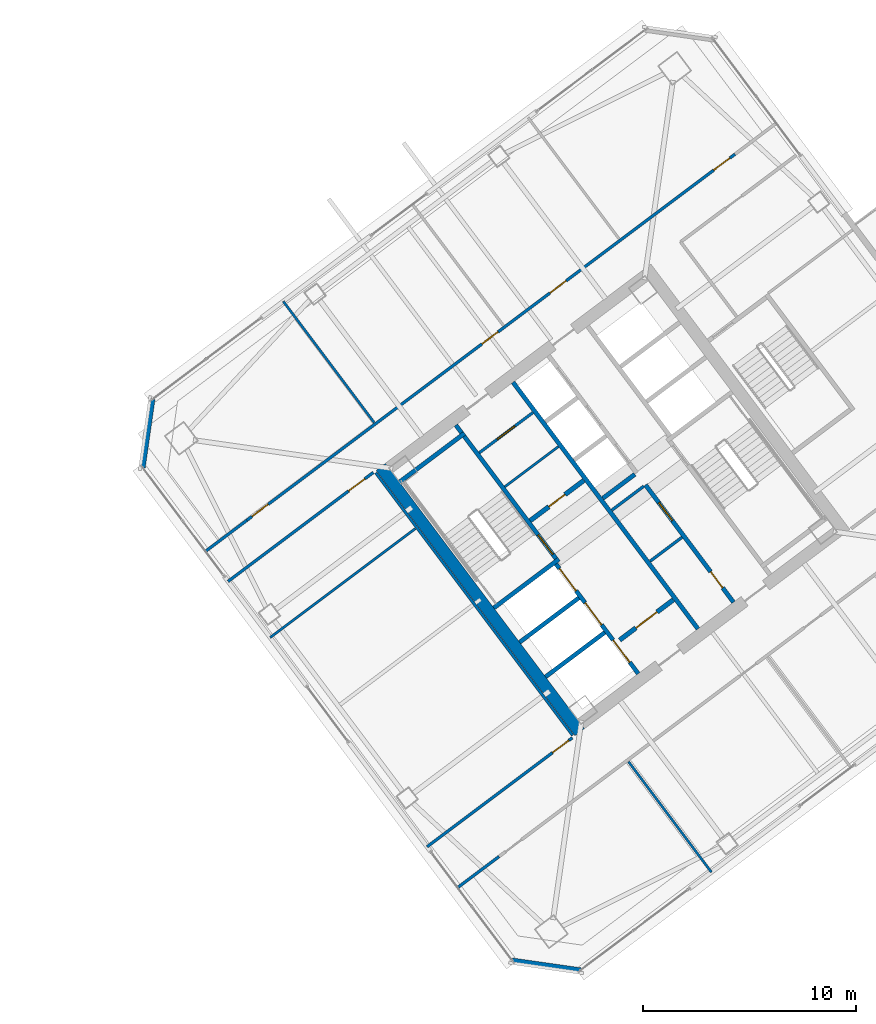
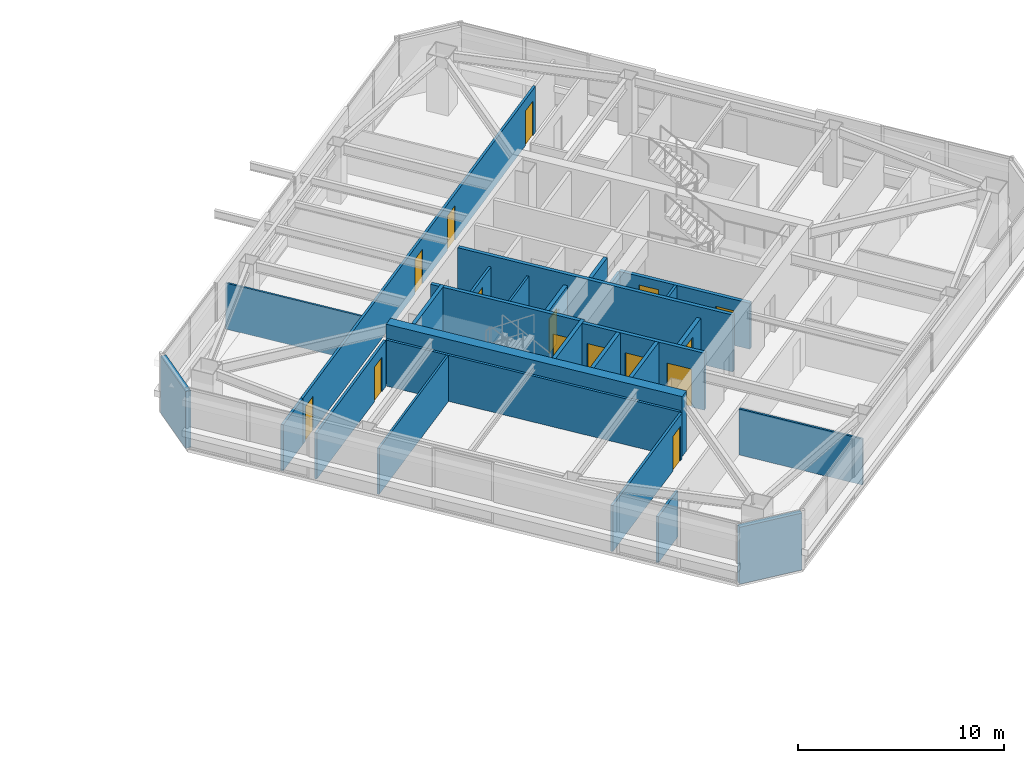
# One storey, part 35 of 43: 27 walls, 15 doors, 15 openings.
"""IFC4 building model written with IfcOpenShell, lengths in metres."""

import ifcopenshell
import ifcopenshell.guid

model = None  # the IFC model being written
_history = None  # IfcOwnerHistory: only IFC2X3 demands one
_inside = {}  # id of a spatial element -> (the spatial element, [elements in it])
_under = {}  # id of a project, library or spatial element -> (it, [spatial elements below it])
_declared = {}  # id of a project -> (the project, [libraries it declares])
_typed = {}  # id of a type object -> (the type object, [elements of that type])
_made_of = {}  # id of a material, layer set ... -> (it, [elements and type objects made of it])


def new_model(schema):
    """Start an empty IFC model of exactly this schema.

    Asked for "IFC4X3", IfcOpenShell would pick the latest addendum, in which some entities
    have other attributes; the version numbers below select the first issue.
    IFC2X3 requires an IfcOwnerHistory on every rooted entity: one is made here for all.
    """
    global model, _history
    if schema == "IFC4X3":
        model = ifcopenshell.file(schema_version=(4, 3, 0, 0))
    else:
        model = ifcopenshell.file(schema=schema)
    _inside.clear()
    _under.clear()
    _declared.clear()
    _typed.clear()
    _made_of.clear()
    _history = None
    if model.schema == "IFC2X3":
        org = make("IfcOrganization", Name="unknown")
        user = make(
            "IfcPersonAndOrganization",
            ThePerson=make("IfcPerson", FamilyName="unknown"),
            TheOrganization=org,
        )
        app = make(
            "IfcApplication",
            ApplicationDeveloper=org,
            Version="unknown",
            ApplicationFullName="unknown",
            ApplicationIdentifier="unknown",
        )
        _history = make(
            "IfcOwnerHistory",
            OwningUser=user,
            OwningApplication=app,
            ChangeAction="ADDED",
            CreationDate=0,
        )
    return model


def make(cls, **values):
    """One entity of the class cls with the attributes given. An attribute that is None is left unset."""
    return model.create_entity(
        cls, **{name: value for name, value in values.items() if value is not None}
    )


def rooted(cls, **values):
    """An entity with a GlobalId (a new one), such as an element, a storey or a relation."""
    return make(cls, GlobalId=ifcopenshell.guid.new(), OwnerHistory=_history, **values)


def si_unit(unit_type, name, prefix=None):
    """IfcSIUnit, for example si_unit("LENGTHUNIT", "METRE", prefix="MILLI")."""
    return make("IfcSIUnit", UnitType=unit_type, Prefix=prefix, Name=name)


def assignment(units):
    """IfcUnitAssignment: the units of a project."""
    return None if units is None else make("IfcUnitAssignment", Units=units)


def point(xyz):
    """IfcCartesianPoint."""
    return None if xyz is None else make("IfcCartesianPoint", Coordinates=xyz)


def direction(xyz):
    """IfcDirection."""
    return None if xyz is None else make("IfcDirection", DirectionRatios=xyz)


def frame(location, z_axis=None, x_axis=None):
    """IfcAxis2Placement3D, a coordinate frame: its origin and axes. An axis left out is left unset."""
    return make(
        "IfcAxis2Placement3D",
        Location=point(location),
        Axis=direction(z_axis),
        RefDirection=direction(x_axis),
    )


def frame_2d(location, x_axis=None):
    """IfcAxis2Placement2D, a coordinate frame in the plane: its origin and x axis."""
    return make(
        "IfcAxis2Placement2D", Location=point(location), RefDirection=direction(x_axis)
    )


def origin():
    """The frame at (0, 0, 0) with its axes left unset."""
    return frame((0.0, 0.0, 0.0))


def place(relative_to, where):
    """IfcLocalPlacement: puts the frame where relative to a parent placement (None: the world)."""
    return make(
        "IfcLocalPlacement", PlacementRelTo=relative_to, RelativePlacement=where
    )


def context(
    kind, dimensions, precision=None, world=None, true_north=None, identifier=None
):
    """IfcGeometricRepresentationContext, for example the 3D "Model" context."""
    return make(
        "IfcGeometricRepresentationContext",
        ContextIdentifier=identifier,
        ContextType=kind,
        CoordinateSpaceDimension=dimensions,
        Precision=precision,
        WorldCoordinateSystem=world,
        TrueNorth=true_north,
    )


def subcontext(parent, identifier, kind, view, scale=None):
    """IfcGeometricRepresentationSubContext, for example "Body" below "Model"."""
    return make(
        "IfcGeometricRepresentationSubContext",
        ContextIdentifier=identifier,
        ContextType=kind,
        ParentContext=parent,
        TargetScale=scale,
        TargetView=view,
    )


def project(units=None, contexts=None):
    """IfcProject with its units and contexts."""
    return rooted(
        "IfcProject",
        Name="project",
        RepresentationContexts=contexts,
        UnitsInContext=assignment(units),
    )


def spatial(cls, under=None, at=None, **own):
    """A site, building, storey or space (cls), placed at a placement, below another one or the project."""
    s = rooted(cls, ObjectPlacement=at, **own)
    if under is not None:
        _under.setdefault(under.id(), (under, []))[1].append(s)
    return s


def profile(cls, at=None, kind="AREA", **sizes):
    """A parametric profile (cls). Its sizes go by their IFC names, for example OverallWidth=200.0."""
    return make(cls, ProfileType=kind, Position=at, **sizes)


def rectangle(**sizes):
    """IfcRectangleProfileDef."""
    return profile("IfcRectangleProfileDef", **sizes)


def extrude(swept, where, along, depth):
    """IfcExtrudedAreaSolid: the profile swept, set in the frame where, extruded along a direction by depth."""
    return make(
        "IfcExtrudedAreaSolid",
        SweptArea=swept,
        Position=where,
        ExtrudedDirection=direction(along),
        Depth=depth,
    )


def shape(context_of_items, identifier, shape_type, items):
    """IfcShapeRepresentation: the items that make up one representation, for example the "Body"."""
    return make(
        "IfcShapeRepresentation",
        ContextOfItems=context_of_items,
        RepresentationIdentifier=identifier,
        RepresentationType=shape_type,
        Items=items,
    )


def material(Name=None, Category=None):
    """IfcMaterial."""
    return make("IfcMaterial", Name=Name, Category=Category)


def layer(
    of_material, thickness, ventilated=None, Name=None, Category=None, Priority=None
):
    """IfcMaterialLayer: one layer of a wall or slab, of a material (None: an air gap)."""
    return make(
        "IfcMaterialLayer",
        Material=of_material,
        LayerThickness=thickness,
        IsVentilated=ventilated,
        Name=Name,
        Category=Category,
        Priority=Priority,
    )


def layer_set(layers, Name=None):
    """IfcMaterialLayerSet."""
    return make("IfcMaterialLayerSet", MaterialLayers=layers, LayerSetName=Name)


def made_of(thing, what):
    """Note that an element or type object is made of a material, layer set ...; save() writes the relation."""
    if what is not None:
        _made_of.setdefault(what.id(), (what, []))[1].append(thing)
    return thing


def type_object(cls, material=None, **own):
    """A type object (cls), such as IfcWallType, which elements share."""
    return made_of(rooted(cls, **own), material)


def element(
    cls,
    number,
    at=None,
    inside=None,
    cuts=None,
    type_object=None,
    material=None,
    context=None,
    identifier="Body",
    shape_type=None,
    held_by="IfcProductDefinitionShape",
    body=None,
    shapes=None,
    **own,
):
    """One element of the class cls, such as IfcWall. Its Tag is "e" and its number.

    at: its placement. inside: the storey or other place that contains it. cuts: it is an
    opening in that element (IfcRelVoidsElement). A single representation is given by context,
    identifier, shape_type and body (its items); several are given by shapes. held_by: the class
    of the entity that holds the representations. save() writes the other relations.
    """
    e = rooted(cls, Tag="e%d" % number, ObjectPlacement=at, **own)
    if body is not None:
        shapes = [shape(context, identifier, shape_type, body)]
    if shapes is not None:
        e.Representation = make(held_by, Representations=shapes)
    if inside is not None:
        _inside.setdefault(inside.id(), (inside, []))[1].append(e)
    if cuts is not None:
        rooted(
            "IfcRelVoidsElement", RelatingBuildingElement=cuts, RelatedOpeningElement=e
        )
    if type_object is not None:
        _typed.setdefault(type_object.id(), (type_object, []))[1].append(e)
    return made_of(e, material)


def fill(opening, filler):
    """IfcRelFillsElement: the door or window that sits in an opening."""
    return rooted(
        "IfcRelFillsElement",
        RelatingOpeningElement=opening,
        RelatedBuildingElement=filler,
    )


def aggregate(whole, parts):
    """IfcRelAggregates: a whole, such as a stair, and the parts it consists of."""
    return rooted("IfcRelAggregates", RelatingObject=whole, RelatedObjects=parts)


def save(model, path):
    """Write the relations noted so far, then the file.

    IfcRelAggregates (storeys below a building ...), IfcRelContainedInSpatialStructure (elements
    in a storey), IfcRelDefinesByType, IfcRelAssociatesMaterial and IfcRelDeclares: one each for
    every whole, place, type object, material and project.
    """
    for whole, parts in _under.values():
        aggregate(whole, parts)
    for where, things in _inside.values():
        rooted(
            "IfcRelContainedInSpatialStructure",
            RelatedElements=things,
            RelatingStructure=where,
        )
    for kind, things in _typed.values():
        rooted("IfcRelDefinesByType", RelatedObjects=things, RelatingType=kind)
    for what, things in _made_of.values():
        rooted("IfcRelAssociatesMaterial", RelatedObjects=things, RelatingMaterial=what)
    for by, libraries in _declared.values():
        rooted("IfcRelDeclares", RelatingContext=by, RelatedDefinitions=libraries)
    model.write(path)


model = new_model("IFC4")

# Units and contexts
model_context = context("Model", 3, precision=1e-05, world=origin(), true_north=direction((0.0, 1.0)))
body_context = subcontext(model_context, "Body", "Model", "MODEL_VIEW")
ifc_project = project(units=[si_unit("LENGTHUNIT", "METRE"), si_unit("AREAUNIT", "SQUARE_METRE"), si_unit("VOLUMEUNIT", "CUBIC_METRE"), si_unit("PLANEANGLEUNIT", "RADIAN"), si_unit("MASSUNIT", "GRAM", prefix="KILO")], contexts=[model_context])

# Site, building, storey
site_placement = place(None, origin())
site = spatial("IfcSite", under=ifc_project, at=site_placement, CompositionType="ELEMENT")
building_placement = place(site_placement, origin())
building = spatial("IfcBuilding", under=site, at=building_placement, Name="Tashvorn Skyway Center", CompositionType="ELEMENT")
storey_placement = place(building_placement, frame((0.0, 0.0, 185.39990234375)))
storey = spatial("IfcBuildingStorey", under=building, at=storey_placement, Name="L50", CompositionType="ELEMENT", Elevation=185.39990234375)

# Walls
ifc_material_1 = material(Name="Concrete C60/75", Category="concrete")
ifc_layer_1 = layer(ifc_material_1, 0.550048828125)
ifc_layer_set_1 = layer_set([ifc_layer_1], Name="Concrete C60/75")
wall_type_1 = type_object("IfcWallType", Name="WALL-CORE-550", PredefinedType="SHEAR", material=ifc_layer_set_1)
wall_1_placement = place(storey_placement, frame((112.43603515625, 21.076904296875, 0.0), z_axis=(0.0, 0.0, 1.0), x_axis=(-0.600005007985, 0.799996243986, 0.0)))
element("IfcWall", 1, at=wall_1_placement, inside=storey, type_object=wall_type_1, Name="Tower 2 L50 West Core Shear Wall", PredefinedType="SHEAR", context=body_context, shape_type="SweptSolid", body=[
    extrude(rectangle(XDim=15.60009765625, YDim=0.550048828125, at=frame_2d((7.800048828125, 0.0))), origin(), (0.0, 0.0, 1.0), 3.550048828125),
])
ifc_material_2 = material(Name="Precast concrete C40/50", Category="concrete")
ifc_layer_2 = layer(ifc_material_2, 0.280029296875)
ifc_layer_set_2 = layer_set([ifc_layer_2], Name="Precast concrete C40/50")
wall_type_2 = type_object("IfcWallType", Name="WALL-EXT-280", PredefinedType="SOLIDWALL", material=ifc_layer_set_2)
for number, where, z_axis, x_axis, name in (
    (2, (112.47998046875, 9.860107421875, 0.0), (0.0, 0.0, 1.0), (-0.989950994782, 0.141410847992, 0.0), "Tower 2 L50 SW Precast Chamfer Wall"),
    (3, (91.860107421875, 33.52001953125, 0.0), (0.0, 0.0, 1.0), (0.141410847992, 0.989950994782, 0.0), "Tower 2 L50 NW Precast Chamfer Wall"),
):
    element("IfcWall", number, at=place(storey_placement, frame(where, z_axis=z_axis, x_axis=x_axis)), inside=storey, type_object=wall_type_2, Name=name, PredefinedType="SOLIDWALL", context=body_context, shape_type="SweptSolid", body=[
        extrude(rectangle(XDim=3.252685546875, YDim=0.280029296875, at=frame_2d((1.62646484375, 0.0))), origin(), (0.0, 0.0, 1.0), 3.3701171875),
    ])

# Wall, opening, door
ifc_material_3 = material(Name="Concrete C40/50", Category="concrete")
ifc_layer_3 = layer(ifc_material_3, 0.219970703125)
ifc_layer_set_3 = layer_set([ifc_layer_3], Name="Concrete C40/50")
wall_type_3 = type_object("IfcWallType", Name="WALL-FFL-220", PredefinedType="SOLIDWALL", material=ifc_layer_set_3)
wall_2_placement = place(storey_placement, frame((110.10400390625, 31.028076171875, 0.0), z_axis=(0.0, 0.0, 1.0), x_axis=(0.800018601094, 0.59997519774, 0.0)))
wall_2 = element("IfcWall", 4, at=wall_2_placement, inside=storey, type_object=wall_type_3, Name="Tower 2 L50 Firefighting Lobby North Wall", PredefinedType="SOLIDWALL", context=body_context, shape_type="SweptSolid", body=[
    extrude(rectangle(XDim=3.14990234375, YDim=0.219970703125, at=frame_2d((1.574951171875, 0.0))), origin(), (0.0, 0.0, 1.0), 2.72314453125),
])
opening_1_placement = place(wall_2_placement, frame((1.10009765625, 0.0, 0.0)))
opening_1 = element("IfcOpeningElement", 5, at=opening_1_placement, cuts=wall_2, Name="Opening D-RT-950", PredefinedType="OPENING", context=body_context, shape_type="SweptSolid", body=[
    extrude(rectangle(XDim=0.949951171875, YDim=2.050048828125, at=frame_2d((0.47509765625, 1.02490234375))), frame((0.0, 0.119873046875, 0.0), z_axis=(0.0, -1.0, 0.0), x_axis=(1.0, 0.0, 0.0)), (0.0, 0.0, 1.0), 0.239990234375),
])
ifc_material_4 = material(Name="Hollow galvanized steel fire door assembly", Category="steel")
door_type_1 = type_object("IfcDoorType", Name="DOOR-RATED-950", OperationType="NOTDEFINED", PredefinedType="DOOR", material=ifc_material_4)
door_1_placement = place(opening_1_placement, origin())
door_1 = element("IfcDoor", 6, at=door_1_placement, inside=storey, type_object=door_type_1, Name="Tower 2 L50 Core Linen Store Door", OperationType="SINGLE_SWING_LEFT", OverallHeight=2.050048828125, OverallWidth=0.949951171875, PredefinedType="DOOR", context=body_context, shape_type="SweptSolid", body=[
    extrude(rectangle(XDim=0.949951171875, YDim=2.050048828125, at=frame_2d((0.47509765625, 1.02490234375))), frame((0.0, 0.02490234375, 0.0), z_axis=(0.0, -1.0, 0.0), x_axis=(1.0, 0.0, 0.0)), (0.0, 0.0, 1.0), 0.050048828125),
])
fill(opening_1, door_1)

wall_3_placement = place(storey_placement, frame((114.31591796875, 25.412109375, 0.0), z_axis=(0.0, 0.0, 1.0), x_axis=(0.800018601094, 0.59997519774, 0.0)))
wall_3 = element("IfcWall", 7, at=wall_3_placement, inside=storey, type_object=wall_type_3, Name="Tower 2 L50 Firefighting Lobby South Wall", PredefinedType="SOLIDWALL", context=body_context, shape_type="SweptSolid", body=[
    extrude(rectangle(XDim=3.14990234375, YDim=0.219970703125, at=frame_2d((1.574951171875, 0.0))), origin(), (0.0, 0.0, 1.0), 2.72314453125),
])
opening_2_placement = place(wall_3_placement, frame((0.949951171875, 0.0, 0.0)))
opening_2 = element("IfcOpeningElement", 8, at=opening_2_placement, cuts=wall_3, Name="Opening D-FFL-1250", PredefinedType="OPENING", context=body_context, shape_type="SweptSolid", body=[
    extrude(rectangle(XDim=1.25, YDim=2.25, at=frame_2d((0.625, 1.125))), frame((0.0, 0.119873046875, 0.0), z_axis=(0.0, -1.0, 0.0), x_axis=(1.0, 0.0, 0.0)), (0.0, 0.0, 1.0), 0.239990234375),
])
door_type_2 = type_object("IfcDoorType", Name="DOOR-FFL-1250", OperationType="NOTDEFINED", PredefinedType="DOOR", material=ifc_material_4)
door_2_placement = place(opening_2_placement, origin())
door_2 = element("IfcDoor", 9, at=door_2_placement, inside=storey, type_object=door_type_2, Name="Tower 2 L50 Firefighting Lobby Egress Door", OperationType="SINGLE_SWING_LEFT", OverallHeight=2.25, OverallWidth=1.25, PredefinedType="DOOR", context=body_context, shape_type="SweptSolid", body=[
    extrude(rectangle(XDim=1.25, YDim=2.25, at=frame_2d((0.625, 1.125))), frame((0.0, 0.02490234375, 0.0), z_axis=(0.0, -1.0, 0.0), x_axis=(1.0, 0.0, 0.0)), (0.0, 0.0, 1.0), 0.050048828125),
])
fill(opening_2, door_2)

# Walls
ifc_material_5 = material(Name="Gypsum board on cold-formed steel stud framing", Category="steel")
ifc_layer_4 = layer(ifc_material_5, 0.110107421875)
ifc_layer_set_4 = layer_set([ifc_layer_4], Name="Gypsum board on cold-formed steel stud framing")
wall_type_4 = type_object("IfcWallType", Name="WALL-PART-110", PredefinedType="PARTITIONING", material=ifc_layer_set_4)
wall_4_placement = place(storey_placement, frame((102.77001953125, 35.639892578125, 0.0), z_axis=(0.0, 0.0, 1.0), x_axis=(-0.6, 0.8, 0.0)))
element("IfcWall", 10, at=wall_4_placement, inside=storey, type_object=wall_type_4, Name="Tower 2 L50 North Suite Partition 1", PredefinedType="PARTITIONING", context=body_context, shape_type="SweptSolid", body=[
    extrude(rectangle(XDim=7.130126953125, YDim=0.110107421875, at=frame_2d((3.56494140625, 0.0))), origin(), (0.0, 0.0, 1.0), 2.72314453125),
])
wall_5_placement = place(storey_placement, frame((118.6279296875, 14.49609375, 0.0), z_axis=(0.0, 0.0, 1.0), x_axis=(-0.599993990277, 0.800004507257, 0.0)))
element("IfcWall", 11, at=wall_5_placement, inside=storey, type_object=wall_type_4, Name="Tower 2 L50 South Suite Partition 1", PredefinedType="PARTITIONING", context=body_context, shape_type="SweptSolid", body=[
    extrude(rectangle(XDim=6.5, YDim=0.110107421875, at=frame_2d((3.25, 0.0))), origin(), (0.0, 0.0, 1.0), 2.72314453125),
])
wall_6_placement = place(storey_placement, frame((97.8759765625, 25.531982421875, 0.0), z_axis=(0.0, 0.0, 1.0), x_axis=(0.8, 0.6, 0.0)))
element("IfcWall", 12, at=wall_6_placement, inside=storey, type_object=wall_type_4, Name="Tower 2 L50 West Mid Partition", PredefinedType="PARTITIONING", context=body_context, shape_type="SweptSolid", body=[
    extrude(rectangle(XDim=8.5400390625, YDim=0.110107421875, at=frame_2d((4.27001953125, 0.0))), origin(), (0.0, 0.0, 1.0), 2.72314453125),
])

# Wall, openings, doors
ifc_layer_5 = layer(ifc_material_5, 0.135009765625)
ifc_layer_set_5 = layer_set([ifc_layer_5], Name="Gypsum board on cold-formed steel stud framing")
wall_type_5 = type_object("IfcWallType", Name="WALL-PART-135", PredefinedType="PARTITIONING", material=ifc_layer_set_5)
wall_7_placement = place(storey_placement, frame((96.778076171875, 31.0458984375, 0.0), z_axis=(0.0, 0.0, 1.0), x_axis=(0.799995916807, 0.600005444218, 0.0)))
wall_7 = element("IfcWall", 13, at=wall_7_placement, inside=storey, type_object=wall_type_5, Name="Tower 2 L50 North Suite Wall", PredefinedType="PARTITIONING", context=body_context, shape_type="SweptSolid", body=[
    extrude(rectangle(XDim=28.7001953125, YDim=0.135009765625, at=frame_2d((14.35009765625, 0.0))), origin(), (0.0, 0.0, 1.0), 2.72314453125),
])
opening_3_placement = place(wall_7_placement, frame((0.300048828125, 0.0, 0.0)))
opening_3 = element("IfcOpeningElement", 14, at=opening_3_placement, cuts=wall_7, Name="Opening D-INT-950", PredefinedType="OPENING", context=body_context, shape_type="SweptSolid", body=[
    extrude(rectangle(XDim=0.949951171875, YDim=2.050048828125, at=frame_2d((0.47509765625, 1.02490234375))), frame((0.0, 0.077392578125, 0.0), z_axis=(0.0, -1.0, 0.0), x_axis=(1.0, 0.0, 0.0)), (0.0, 0.0, 1.0), 0.155029296875),
])
opening_4_placement = place(wall_7_placement, frame((13.820068359375, 0.0, 0.0)))
opening_4 = element("IfcOpeningElement", 15, at=opening_4_placement, cuts=wall_7, Name="Opening D-INT-950", PredefinedType="OPENING", context=body_context, shape_type="SweptSolid", body=[
    extrude(rectangle(XDim=0.949951171875, YDim=2.050048828125, at=frame_2d((0.47509765625, 1.02490234375))), frame((0.0, 0.077392578125, 0.0), z_axis=(0.0, -1.0, 0.0), x_axis=(1.0, 0.0, 0.0)), (0.0, 0.0, 1.0), 0.155029296875),
])
opening_5_placement = place(wall_7_placement, frame((17.820556640625, 0.0, 0.0)))
opening_5 = element("IfcOpeningElement", 16, at=opening_5_placement, cuts=wall_7, Name="Opening D-INT-950", PredefinedType="OPENING", context=body_context, shape_type="SweptSolid", body=[
    extrude(rectangle(XDim=0.949951171875, YDim=2.050048828125, at=frame_2d((0.47509765625, 1.02490234375))), frame((0.0, 0.077392578125, 0.0), z_axis=(0.0, -1.0, 0.0), x_axis=(1.0, 0.0, 0.0)), (0.0, 0.0, 1.0), 0.155029296875),
])
opening_6_placement = place(wall_7_placement, frame((27.449951171875, 0.0, 0.0)))
opening_6 = element("IfcOpeningElement", 17, at=opening_6_placement, cuts=wall_7, Name="Opening D-INT-950", PredefinedType="OPENING", context=body_context, shape_type="SweptSolid", body=[
    extrude(rectangle(XDim=0.949951171875, YDim=2.050048828125, at=frame_2d((0.47509765625, 1.02490234375))), frame((0.0, 0.077392578125, 0.0), z_axis=(0.0, -1.0, 0.0), x_axis=(1.0, 0.0, 0.0)), (0.0, 0.0, 1.0), 0.155029296875),
])
ifc_material_6 = material(Name="Solid-core architectural oak veneer door")
door_type_3 = type_object("IfcDoorType", Name="DOOR-INT-950", OperationType="NOTDEFINED", PredefinedType="DOOR", material=ifc_material_6)
door_3_placement = place(opening_3_placement, origin())
door_3 = element("IfcDoor", 18, at=door_3_placement, inside=storey, type_object=door_type_3, Name="Tower 2 L50 Gallery Showroom Door", OperationType="SINGLE_SWING_RIGHT", OverallHeight=2.050048828125, OverallWidth=0.949951171875, PredefinedType="DOOR", context=body_context, shape_type="SweptSolid", body=[
    extrude(rectangle(XDim=0.949951171875, YDim=2.050048828125, at=frame_2d((0.47509765625, 1.02490234375))), frame((0.0, 0.02490234375, 0.0), z_axis=(0.0, -1.0, 0.0), x_axis=(1.0, 0.0, 0.0)), (0.0, 0.0, 1.0), 0.050048828125),
])
fill(opening_3, door_3)
door_4_placement = place(opening_4_placement, origin())
door_4 = element("IfcDoor", 19, at=door_4_placement, inside=storey, type_object=door_type_3, Name="Tower 2 L50 Gallery Showroom Door", OperationType="SINGLE_SWING_LEFT", OverallHeight=2.050048828125, OverallWidth=0.949951171875, PredefinedType="DOOR", context=body_context, shape_type="SweptSolid", body=[
    extrude(rectangle(XDim=0.949951171875, YDim=2.050048828125, at=frame_2d((0.47509765625, 1.02490234375))), frame((0.0, 0.02490234375, 0.0), z_axis=(0.0, -1.0, 0.0), x_axis=(1.0, 0.0, 0.0)), (0.0, 0.0, 1.0), 0.050048828125),
])
fill(opening_4, door_4)
door_5_placement = place(opening_5_placement, origin())
door_5 = element("IfcDoor", 20, at=door_5_placement, inside=storey, type_object=door_type_3, Name="Tower 2 L50 Corporate Office Door", OperationType="SINGLE_SWING_RIGHT", OverallHeight=2.050048828125, OverallWidth=0.949951171875, PredefinedType="DOOR", context=body_context, shape_type="SweptSolid", body=[
    extrude(rectangle(XDim=0.949951171875, YDim=2.050048828125, at=frame_2d((0.47509765625, 1.02490234375))), frame((0.0, 0.02490234375, 0.0), z_axis=(0.0, -1.0, 0.0), x_axis=(1.0, 0.0, 0.0)), (0.0, 0.0, 1.0), 0.050048828125),
])
fill(opening_5, door_5)
door_6_placement = place(opening_6_placement, origin())
door_6 = element("IfcDoor", 21, at=door_6_placement, inside=storey, type_object=door_type_3, Name="Tower 2 L50 Conference Room Door", OperationType="SINGLE_SWING_LEFT", OverallHeight=2.050048828125, OverallWidth=0.949951171875, PredefinedType="DOOR", context=body_context, shape_type="SweptSolid", body=[
    extrude(rectangle(XDim=0.949951171875, YDim=2.050048828125, at=frame_2d((0.47509765625, 1.02490234375))), frame((0.0, 0.02490234375, 0.0), z_axis=(0.0, -1.0, 0.0), x_axis=(1.0, 0.0, 0.0)), (0.0, 0.0, 1.0), 0.050048828125),
])
fill(opening_6, door_6)

# Walls
wall_8_placement = place(storey_placement, frame((94.833984375, 29.587890625, 0.0), z_axis=(0.0, 0.0, 1.0), x_axis=(0.800012055778, 0.599983925293, 0.0)))
element("IfcWall", 22, at=wall_8_placement, inside=storey, type_object=wall_type_5, Name="Tower 2 L50 North-West Suite South Wall", PredefinedType="PARTITIONING", context=body_context, shape_type="SweptSolid", body=[
    extrude(rectangle(XDim=2.43017578125, YDim=0.135009765625, at=frame_2d((1.215087890625, 0.0))), origin(), (0.0, 0.0, 1.0), 2.72314453125),
])
wall_9_placement = place(storey_placement, frame((106.696044921875, 13.77197265625, 0.0), z_axis=(0.0, 0.0, 1.0), x_axis=(0.799975885537, 0.600032151272, 0.0)))
element("IfcWall", 23, at=wall_9_placement, inside=storey, type_object=wall_type_5, Name="Tower 2 L50 South-West Suite North Wall", PredefinedType="PARTITIONING", context=body_context, shape_type="SweptSolid", body=[
    extrude(rectangle(XDim=2.429931640625, YDim=0.135009765625, at=frame_2d((1.21484375, 0.0))), origin(), (0.0, 0.0, 1.0), 2.72314453125),
])
wall_10_placement = place(storey_placement, frame((112.10400390625, 20.927978515625, 0.0), z_axis=(0.0, 0.0, 1.0), x_axis=(-0.599994940075, 0.800003794918, 0.0)))
element("IfcWall", 24, at=wall_10_placement, inside=storey, type_object=wall_type_5, Name="Tower 2 L50 West Inner Suite Wall", PredefinedType="PARTITIONING", context=body_context, shape_type="SweptSolid", body=[
    extrude(rectangle(XDim=15.43994140625, YDim=0.135009765625, at=frame_2d((7.719970703125, 0.0))), origin(), (0.0, 0.0, 1.0), 2.72314453125),
])

# Wall, opening, door
wall_11_placement = place(storey_placement, frame((102.72802734375, 33.2958984375, 0.0), z_axis=(0.0, 0.0, 1.0), x_axis=(-0.800013722153, -0.59998170336, 0.0)))
wall_11 = element("IfcWall", 25, at=wall_11_placement, inside=storey, type_object=wall_type_5, Name="Tower 2 L50 West Suite North Wall", PredefinedType="PARTITIONING", context=body_context, shape_type="SweptSolid", body=[
    extrude(rectangle(XDim=8.539794921875, YDim=0.135009765625, at=frame_2d((4.27001953125, 0.0))), origin(), (0.0, 0.0, 1.0), 2.72314453125),
])
opening_7_placement = place(wall_11_placement, frame((0.5, 0.0, 0.0)))
opening_7 = element("IfcOpeningElement", 26, at=opening_7_placement, cuts=wall_11, Name="Opening D-INT-950", PredefinedType="OPENING", context=body_context, shape_type="SweptSolid", body=[
    extrude(rectangle(XDim=0.949951171875, YDim=2.050048828125, at=frame_2d((0.47509765625, 1.02490234375))), frame((0.0, 0.077392578125, 0.0), z_axis=(0.0, -1.0, 0.0), x_axis=(1.0, 0.0, 0.0)), (0.0, 0.0, 1.0), 0.155029296875),
])
door_7_placement = place(opening_7_placement, origin())
door_7 = element("IfcDoor", 27, at=door_7_placement, inside=storey, type_object=door_type_3, Name="Tower 2 L50 Collaborative Studio Door", OperationType="SINGLE_SWING_RIGHT", OverallHeight=2.050048828125, OverallWidth=0.949951171875, PredefinedType="DOOR", context=body_context, shape_type="SweptSolid", body=[
    extrude(rectangle(XDim=0.949951171875, YDim=2.050048828125, at=frame_2d((0.47509765625, 1.02490234375))), frame((0.0, 0.02490234375, 0.0), z_axis=(0.0, -1.0, 0.0), x_axis=(1.0, 0.0, 0.0)), (0.0, 0.0, 1.0), 0.050048828125),
])
fill(opening_7, door_7)

wall_12_placement = place(storey_placement, frame((105.256103515625, 15.69189453125, 0.0), z_axis=(0.0, 0.0, 1.0), x_axis=(0.799989708052, 0.600013722352, 0.0)))
wall_12 = element("IfcWall", 28, at=wall_12_placement, inside=storey, type_object=wall_type_5, Name="Tower 2 L50 West Suite South Wall", PredefinedType="PARTITIONING", context=body_context, shape_type="SweptSolid", body=[
    extrude(rectangle(XDim=8.539794921875, YDim=0.135009765625, at=frame_2d((4.27001953125, 0.0))), origin(), (0.0, 0.0, 1.0), 2.72314453125),
])
opening_8_placement = place(wall_12_placement, frame((7.3798828125, 0.0, 0.0)))
opening_8 = element("IfcOpeningElement", 29, at=opening_8_placement, cuts=wall_12, Name="Opening D-INT-950", PredefinedType="OPENING", context=body_context, shape_type="SweptSolid", body=[
    extrude(rectangle(XDim=0.949951171875, YDim=2.050048828125, at=frame_2d((0.47509765625, 1.02490234375))), frame((0.0, 0.077392578125, 0.0), z_axis=(0.0, -1.0, 0.0), x_axis=(1.0, 0.0, 0.0)), (0.0, 0.0, 1.0), 0.155029296875),
])
door_8_placement = place(opening_8_placement, origin())
door_8 = element("IfcDoor", 30, at=door_8_placement, inside=storey, type_object=door_type_3, Name="Tower 2 L50 Public Restroom Door", OperationType="SINGLE_SWING_LEFT", OverallHeight=2.050048828125, OverallWidth=0.949951171875, PredefinedType="DOOR", context=body_context, shape_type="SweptSolid", body=[
    extrude(rectangle(XDim=0.949951171875, YDim=2.050048828125, at=frame_2d((0.47509765625, 1.02490234375))), frame((0.0, 0.02490234375, 0.0), z_axis=(0.0, -1.0, 0.0), x_axis=(1.0, 0.0, 0.0)), (0.0, 0.0, 1.0), 0.050048828125),
])
fill(opening_8, door_8)

# Wall
ifc_layer_6 = layer(ifc_material_5, 0.110107421875)
ifc_layer_set_6 = layer_set([ifc_layer_6], Name="Gypsum board on cold-formed steel stud framing")
wall_type_6 = type_object("IfcWallType", Name="WALL-RATED-110", PredefinedType="PARTITIONING", material=ifc_layer_set_6)
wall_13_placement = place(storey_placement, frame((108.909912109375, 32.6201171875, 0.0), z_axis=(0.0, 0.0, 1.0), x_axis=(0.800018601094, 0.59997519774, 0.0)))
element("IfcWall", 31, at=wall_13_placement, inside=storey, type_object=wall_type_6, Name="Tower 2 L50 Core Transverse Wall", PredefinedType="PARTITIONING", context=body_context, shape_type="SweptSolid", body=[
    extrude(rectangle(XDim=3.14990234375, YDim=0.110107421875, at=frame_2d((1.574951171875, 0.0))), origin(), (0.0, 0.0, 1.0), 2.72314453125),
])

# Wall, opening, door
ifc_layer_7 = layer(ifc_material_5, 0.135009765625)
ifc_layer_set_7 = layer_set([ifc_layer_7], Name="Gypsum board on cold-formed steel stud framing")
wall_type_7 = type_object("IfcWallType", Name="WALL-RATED-135", PredefinedType="PARTITIONING", material=ifc_layer_set_7)
wall_14_placement = place(storey_placement, frame((107.7099609375, 34.219970703125, 0.0), z_axis=(0.0, 0.0, 1.0), x_axis=(0.799981399002, 0.60002480053, 0.0)))
wall_14 = element("IfcWall", 32, at=wall_14_placement, inside=storey, type_object=wall_type_7, Name="Tower 2 L50 Core Service Lobby Wall", PredefinedType="PARTITIONING", context=body_context, shape_type="SweptSolid", body=[
    extrude(rectangle(XDim=3.150146484375, YDim=0.135009765625, at=frame_2d((1.5751953125, 0.0))), origin(), (0.0, 0.0, 1.0), 2.72314453125),
])
opening_9_placement = place(wall_14_placement, frame((1.050048828125, 0.0, 0.0)))
opening_9 = element("IfcOpeningElement", 33, at=opening_9_placement, cuts=wall_14, Name="Opening D-RT-1050", PredefinedType="OPENING", context=body_context, shape_type="SweptSolid", body=[
    extrude(rectangle(XDim=1.050048828125, YDim=2.199951171875, at=frame_2d((0.52490234375, 1.10009765625))), frame((0.0, 0.077392578125, 0.0), z_axis=(0.0, -1.0, 0.0), x_axis=(1.0, 0.0, 0.0)), (0.0, 0.0, 1.0), 0.155029296875),
])
door_type_4 = type_object("IfcDoorType", Name="DOOR-RATED-1050", OperationType="NOTDEFINED", PredefinedType="DOOR", material=ifc_material_4)
door_9_placement = place(opening_9_placement, origin())
door_9 = element("IfcDoor", 34, at=door_9_placement, inside=storey, type_object=door_type_4, Name="Tower 2 L50 Core Accessible WC Door", OperationType="SINGLE_SWING_RIGHT", OverallHeight=2.199951171875, OverallWidth=1.050048828125, PredefinedType="DOOR", context=body_context, shape_type="SweptSolid", body=[
    extrude(rectangle(XDim=1.050048828125, YDim=2.199951171875, at=frame_2d((0.52490234375, 1.10009765625))), frame((0.0, 0.02490234375, 0.0), z_axis=(0.0, -1.0, 0.0), x_axis=(1.0, 0.0, 0.0)), (0.0, 0.0, 1.0), 0.050048828125),
])
fill(opening_9, door_9)

# Walls
for number, where, z_axis, x_axis, name in (
    (35, (113.946044921875, 31.52197265625, 0.0), (0.0, 0.0, 1.0), (0.8, 0.6, 0.0), "Tower 2 L50 Core Room Partition"),
    (36, (115.74609375, 29.1220703125, 0.0), (0.0, 0.0, 1.0), (0.8, 0.6, 0.0), "Tower 2 L50 Freed Core Partition"),
):
    element("IfcWall", number, at=place(storey_placement, frame(where, z_axis=z_axis, x_axis=x_axis)), inside=storey, type_object=wall_type_7, Name=name, PredefinedType="PARTITIONING", context=body_context, shape_type="SweptSolid", body=[
        extrude(rectangle(XDim=1.8798828125, YDim=0.135009765625, at=frame_2d((0.93994140625, 0.0))), origin(), (0.0, 0.0, 1.0), 2.72314453125),
    ])
ifc_layer_8 = layer(ifc_material_3, 0.199951171875)
ifc_layer_set_8 = layer_set([ifc_layer_8], Name="Concrete C40/50")
wall_type_8 = type_object("IfcWallType", Name="WALL-SHAFT-200", PredefinedType="SOLIDWALL", material=ifc_layer_set_8)
for number, where, z_axis, x_axis, name in (
    (37, (110.825927734375, 23.681884765625, 0.0), (0.0, 0.0, 1.0), (0.8, 0.6, 0.0), "Tower 2 L50 FSAE Shaft Divider"),
    (38, (109.60791015625, 25.305908203125, 0.0), (0.0, 0.0, 1.0), (0.8, 0.6, 0.0), "Tower 2 L50 FSAE Shaft Divider"),
):
    element("IfcWall", number, at=place(storey_placement, frame(where, z_axis=z_axis, x_axis=x_axis)), inside=storey, type_object=wall_type_8, Name=name, PredefinedType="SOLIDWALL", context=body_context, shape_type="SweptSolid", body=[
        extrude(rectangle(XDim=3.480224609375, YDim=0.199951171875, at=frame_2d((1.740234375, 0.0))), origin(), (0.0, 0.0, 1.0), 3.3701171875),
    ])

# Wall, openings, doors
wall_15_placement = place(storey_placement, frame((119.669921875, 27.18994140625, 0.0), z_axis=(0.0, 0.0, 1.0), x_axis=(-0.599988677396, 0.800008491828, 0.0)))
wall_15 = element("IfcWall", 39, at=wall_15_placement, inside=storey, type_object=wall_type_8, Name="Tower 2 L50 Low-Rise Core Wall", PredefinedType="SOLIDWALL", context=body_context, shape_type="SweptSolid", body=[
    extrude(rectangle(XDim=6.89990234375, YDim=0.199951171875, at=frame_2d((3.449951171875, 0.0))), origin(), (0.0, 0.0, 1.0), 2.72314453125),
])
opening_10_placement = place(wall_15_placement, frame((0.85009765625, 0.0, 0.0)))
opening_10 = element("IfcOpeningElement", 40, at=opening_10_placement, cuts=wall_15, Name="Opening D-RT-950", PredefinedType="OPENING", context=body_context, shape_type="SweptSolid", body=[
    extrude(rectangle(XDim=0.949951171875, YDim=2.050048828125, at=frame_2d((0.47509765625, 1.02490234375))), frame((0.0, 0.10986328125, 0.0), z_axis=(0.0, -1.0, 0.0), x_axis=(1.0, 0.0, 0.0)), (0.0, 0.0, 1.0), 0.219970703125),
])
opening_11_placement = place(wall_15_placement, frame((4.800048828125, 0.0, 0.0)))
opening_11 = element("IfcOpeningElement", 41, at=opening_11_placement, cuts=wall_15, Name="Opening D-RT-1050", PredefinedType="OPENING", context=body_context, shape_type="SweptSolid", body=[
    extrude(rectangle(XDim=1.050048828125, YDim=2.199951171875, at=frame_2d((0.52490234375, 1.10009765625))), frame((0.0, 0.10986328125, 0.0), z_axis=(0.0, -1.0, 0.0), x_axis=(1.0, 0.0, 0.0)), (0.0, 0.0, 1.0), 0.219970703125),
])
door_10_placement = place(opening_11_placement, origin())
door_10 = element("IfcDoor", 42, at=door_10_placement, inside=storey, type_object=door_type_4, Name="Tower 2 L50 Freed Core Room Door", OperationType="SINGLE_SWING_RIGHT", OverallHeight=2.199951171875, OverallWidth=1.050048828125, PredefinedType="DOOR", context=body_context, shape_type="SweptSolid", body=[
    extrude(rectangle(XDim=1.050048828125, YDim=2.199951171875, at=frame_2d((0.52490234375, 1.10009765625))), frame((0.0, 0.02490234375, 0.0), z_axis=(0.0, -1.0, 0.0), x_axis=(1.0, 0.0, 0.0)), (0.0, 0.0, 1.0), 0.050048828125),
])
fill(opening_11, door_10)
door_11_placement = place(opening_10_placement, origin())
door_11 = element("IfcDoor", 43, at=door_11_placement, inside=storey, type_object=door_type_1, Name="Tower 2 L50 Core Print Room Door", OperationType="SINGLE_SWING_LEFT", OverallHeight=2.050048828125, OverallWidth=0.949951171875, PredefinedType="DOOR", context=body_context, shape_type="SweptSolid", body=[
    extrude(rectangle(XDim=0.949951171875, YDim=2.050048828125, at=frame_2d((0.47509765625, 1.02490234375))), frame((0.0, 0.02490234375, 0.0), z_axis=(0.0, -1.0, 0.0), x_axis=(1.0, 0.0, 0.0)), (0.0, 0.0, 1.0), 0.050048828125),
])
fill(opening_10, door_11)

# Wall
wall_16_placement = place(storey_placement, frame((113.52587890625, 32.08203125, 0.0), z_axis=(0.0, 0.0, 1.0), x_axis=(0.800046745961, 0.599937666993, 0.0)))
element("IfcWall", 44, at=wall_16_placement, inside=storey, type_object=wall_type_8, Name="Tower 2 L50 Mid-Rise Shaft Divider", PredefinedType="SOLIDWALL", context=body_context, shape_type="SweptSolid", body=[
    extrude(rectangle(XDim=1.880126953125, YDim=0.199951171875, at=frame_2d((0.93994140625, 0.0))), origin(), (0.0, 0.0, 1.0), 3.3701171875),
])

# Wall, opening, door
ifc_layer_9 = layer(ifc_material_3, 0.199951171875)
ifc_layer_set_9 = layer_set([ifc_layer_9], Name="Concrete C40/50")
wall_type_9 = type_object("IfcWallType", Name="WALL-STSHF-200", PredefinedType="SHEAR", material=ifc_layer_set_9)
wall_17_placement = place(storey_placement, frame((111.43994140625, 29.080078125, 0.0), z_axis=(0.0, 0.0, 1.0), x_axis=(-0.59999029481, 0.8000072788, 0.0)))
wall_17 = element("IfcWall", 45, at=wall_17_placement, inside=storey, type_object=wall_type_9, Name="Tower 2 L50 Stair 1 Enclosure Wall", PredefinedType="SHEAR", context=body_context, shape_type="SweptSolid", body=[
    extrude(rectangle(XDim=8.0498046875, YDim=0.199951171875, at=frame_2d((4.02490234375, 0.0))), origin(), (0.0, 0.0, 1.0), 3.3701171875),
])
opening_12_placement = place(wall_17_placement, frame((0.449951171875, 0.0, 0.0)))
opening_12 = element("IfcOpeningElement", 46, at=opening_12_placement, cuts=wall_17, Name="Opening D-ST-1150", PredefinedType="OPENING", context=body_context, shape_type="SweptSolid", body=[
    extrude(rectangle(XDim=1.14990234375, YDim=2.199951171875, at=frame_2d((0.574951171875, 1.10009765625))), frame((0.0, 0.10986328125, 0.0), z_axis=(0.0, -1.0, 0.0), x_axis=(1.0, 0.0, 0.0)), (0.0, 0.0, 1.0), 0.219970703125),
])
door_type_5 = type_object("IfcDoorType", Name="DOOR-STAIR-1150", OperationType="NOTDEFINED", PredefinedType="DOOR", material=ifc_material_4)
door_12_placement = place(opening_12_placement, origin())
door_12 = element("IfcDoor", 47, at=door_12_placement, inside=storey, type_object=door_type_5, Name="Tower 2 L50 Exit Stair 1 Door", OperationType="SINGLE_SWING_RIGHT", OverallHeight=2.199951171875, OverallWidth=1.14990234375, PredefinedType="DOOR", context=body_context, shape_type="SweptSolid", body=[
    extrude(rectangle(XDim=1.14990234375, YDim=2.199951171875, at=frame_2d((0.574951171875, 1.10009765625))), frame((0.0, 0.02490234375, 0.0), z_axis=(0.0, -1.0, 0.0), x_axis=(1.0, 0.0, 0.0)), (0.0, 0.0, 1.0), 0.050048828125),
])
fill(opening_12, door_12)

# Walls
for number, where, z_axis, x_axis, name in (
    (48, (108.39599609375, 26.922119140625, 0.0), (0.0, 0.0, 1.0), (0.800015298837, 0.599979601008, 0.0), "Tower 2 L50 Stair 1 South Wall"),
    (49, (103.9560546875, 32.842041015625, 0.0), (0.0, 0.0, 1.0), (0.800015298837, 0.599979601008, 0.0), "Tower 2 L50 Stair 1 North Wall"),
):
    element("IfcWall", number, at=place(storey_placement, frame(where, z_axis=z_axis, x_axis=x_axis)), inside=storey, type_object=wall_type_9, Name=name, PredefinedType="SHEAR", context=body_context, shape_type="SweptSolid", body=[
        extrude(rectangle(XDim=3.829833984375, YDim=0.199951171875, at=frame_2d((1.9150390625, 0.0))), origin(), (0.0, 0.0, 1.0), 3.3701171875),
    ])
wall_18_placement = place(storey_placement, frame((117.998046875, 25.93603515625, 0.0), z_axis=(0.0, 0.0, 1.0), x_axis=(-0.600002693989, 0.799997979501, 0.0)))
element("IfcWall", 50, at=wall_18_placement, inside=storey, type_object=wall_type_9, Name="Tower 2 L50 Firefighting Lobby East Smoke Barrier", PredefinedType="SHEAR", context=body_context, shape_type="SweptSolid", body=[
    extrude(rectangle(XDim=14.499755859375, YDim=0.199951171875, at=frame_2d((7.25, 0.0))), origin(), (0.0, 0.0, 1.0), 3.3701171875),
])

# Wall, openings, doors
wall_19_placement = place(storey_placement, frame((115.18994140625, 23.830078125, 0.0), z_axis=(0.0, 0.0, 1.0), x_axis=(-0.599993943644, 0.800004542231, 0.0)))
wall_19 = element("IfcWall", 51, at=wall_19_placement, inside=storey, type_object=wall_type_9, Name="Tower 2 L50 FSAE and Goods Shaft Front Wall", PredefinedType="SHEAR", context=body_context, shape_type="SweptSolid", body=[
    extrude(rectangle(XDim=6.449951171875, YDim=0.199951171875, at=frame_2d((3.22509765625, 0.0))), origin(), (0.0, 0.0, 1.0), 3.3701171875),
])
opening_13_placement = place(wall_19_placement, frame((4.875, 0.0, 0.0)))
opening_13 = element("IfcOpeningElement", 52, at=opening_13_placement, cuts=wall_19, Name="Opening LD-FF-T2-1-L50", PredefinedType="OPENING", context=body_context, shape_type="SweptSolid", body=[
    extrude(rectangle(XDim=1.300048828125, YDim=2.25, at=frame_2d((0.64990234375, 1.125))), frame((0.0, 0.10986328125, 0.0), z_axis=(0.0, -1.0, 0.0), x_axis=(1.0, 0.0, 0.0)), (0.0, 0.0, 1.0), 0.219970703125),
])
opening_14_placement = place(wall_19_placement, frame((2.875, 0.0, 0.0)))
opening_14 = element("IfcOpeningElement", 53, at=opening_14_placement, cuts=wall_19, Name="Opening LD-FF-T2-2-L50", PredefinedType="OPENING", context=body_context, shape_type="SweptSolid", body=[
    extrude(rectangle(XDim=1.300048828125, YDim=2.25, at=frame_2d((0.64990234375, 1.125))), frame((0.0, 0.10986328125, 0.0), z_axis=(0.0, -1.0, 0.0), x_axis=(1.0, 0.0, 0.0)), (0.0, 0.0, 1.0), 0.219970703125),
])
opening_15_placement = place(wall_19_placement, frame((0.675048828125, 0.0, 0.0)))
opening_15 = element("IfcOpeningElement", 54, at=opening_15_placement, cuts=wall_19, Name="Opening LD-GD-T2-1-L50", PredefinedType="OPENING", context=body_context, shape_type="SweptSolid", body=[
    extrude(rectangle(XDim=1.300048828125, YDim=2.25, at=frame_2d((0.64990234375, 1.125))), frame((0.0, 0.10986328125, 0.0), z_axis=(0.0, -1.0, 0.0), x_axis=(1.0, 0.0, 0.0)), (0.0, 0.0, 1.0), 0.219970703125),
])
ifc_material_7 = material(Name="Stainless steel heavy-duty landing door", Category="steel")
door_type_6 = type_object("IfcDoorType", Name="DOOR-LIFT-1300", OperationType="SLIDING_TO_LEFT", PredefinedType="DOOR", material=ifc_material_7)
door_13_placement = place(opening_13_placement, origin())
door_13 = element("IfcDoor", 55, at=door_13_placement, inside=storey, type_object=door_type_6, Name="Lift FF-T2-1 L50 Landing Door", OperationType="SLIDING_TO_LEFT", OverallHeight=2.25, OverallWidth=1.300048828125, PredefinedType="DOOR", context=body_context, shape_type="SweptSolid", body=[
    extrude(rectangle(XDim=1.300048828125, YDim=2.25, at=frame_2d((0.64990234375, 1.125))), frame((0.0, 0.02490234375, 0.0), z_axis=(0.0, -1.0, 0.0), x_axis=(1.0, 0.0, 0.0)), (0.0, 0.0, 1.0), 0.050048828125),
])
fill(opening_13, door_13)
door_14_placement = place(opening_14_placement, origin())
door_14 = element("IfcDoor", 56, at=door_14_placement, inside=storey, type_object=door_type_6, Name="Lift FF-T2-2 L50 Landing Door", OperationType="SLIDING_TO_LEFT", OverallHeight=2.25, OverallWidth=1.300048828125, PredefinedType="DOOR", context=body_context, shape_type="SweptSolid", body=[
    extrude(rectangle(XDim=1.300048828125, YDim=2.25, at=frame_2d((0.64990234375, 1.125))), frame((0.0, 0.02490234375, 0.0), z_axis=(0.0, -1.0, 0.0), x_axis=(1.0, 0.0, 0.0)), (0.0, 0.0, 1.0), 0.050048828125),
])
fill(opening_14, door_14)
door_15_placement = place(opening_15_placement, origin())
door_15 = element("IfcDoor", 57, at=door_15_placement, inside=storey, type_object=door_type_6, Name="Lift GD-T2-1 L50 Landing Door", OperationType="SLIDING_TO_LEFT", OverallHeight=2.25, OverallWidth=1.300048828125, PredefinedType="DOOR", context=body_context, shape_type="SweptSolid", body=[
    extrude(rectangle(XDim=1.300048828125, YDim=2.25, at=frame_2d((0.64990234375, 1.125))), frame((0.0, 0.02490234375, 0.0), z_axis=(0.0, -1.0, 0.0), x_axis=(1.0, 0.0, 0.0)), (0.0, 0.0, 1.0), 0.050048828125),
])
fill(opening_15, door_15)

save(model, "model.ifc")
